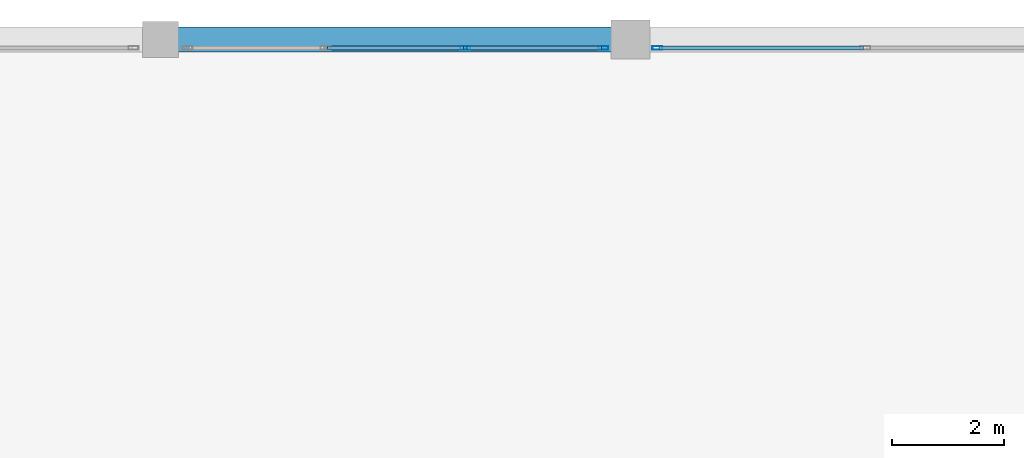
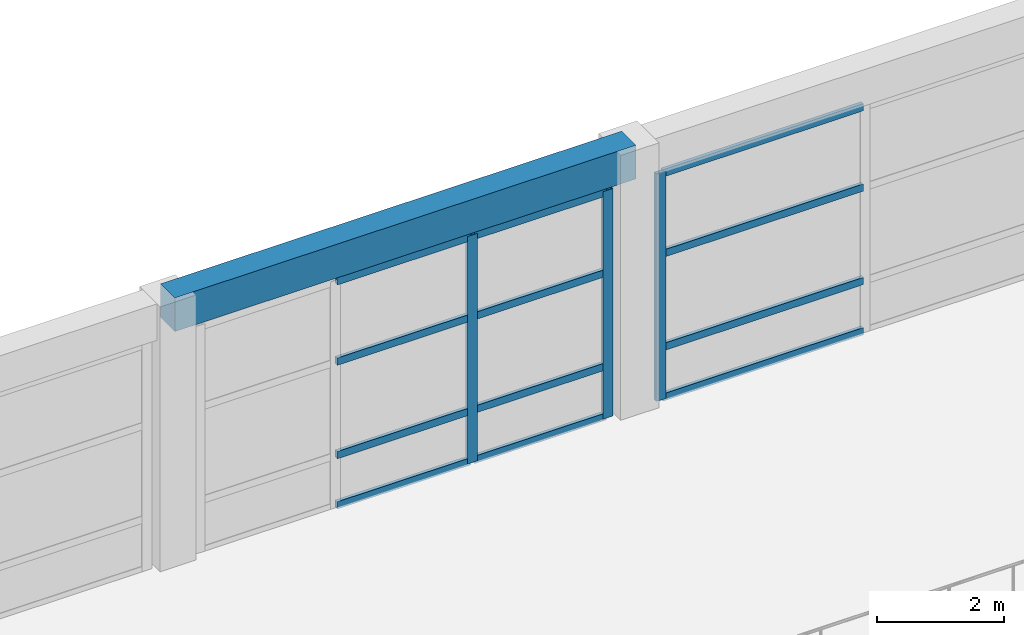
# One storey, part 45 of 95: 15 members, 1 beam, 2 elements without a shape of their own.
"""IFC4 building model written with IfcOpenShell, lengths in metres."""

from ifc_helpers import new_model, si_unit, direction, frame, origin, origin_2d, place, context, subcontext, project, spatial, rectangle, hollow_rectangle, extrude, material, material_profile, profile_set, type_object, element, aggregate, save


model = new_model("IFC4")

# Units and contexts
model_context = context("Model", 3, precision=1e-05, world=origin(), true_north=direction((0.0, 1.0)))
body_context = subcontext(model_context, "Body", "Model", "MODEL_VIEW")
ifc_project = project(units=[si_unit("LENGTHUNIT", "METRE"), si_unit("AREAUNIT", "SQUARE_METRE"), si_unit("VOLUMEUNIT", "CUBIC_METRE"), si_unit("PLANEANGLEUNIT", "RADIAN"), si_unit("MASSUNIT", "GRAM", prefix="KILO")], contexts=[model_context])

# Site, building, storey
site_placement = place(None, origin())
site = spatial("IfcSite", under=ifc_project, at=site_placement, CompositionType="ELEMENT")
building_placement = place(site_placement, origin())
building = spatial("IfcBuilding", under=site, at=building_placement, Name="Almacenes y Pasaje Nevantli", CompositionType="ELEMENT")
storey_placement = place(building_placement, frame((0.0, 0.0, 11.39990234375)))
storey = spatial("IfcBuildingStorey", under=building, at=storey_placement, Name="L03", CompositionType="ELEMENT", Elevation=11.39990234375)

# Beam
ifc_material_1 = material(Name="Concrete C35/45", Category="concrete")
ifc_material_profile_1 = material_profile(ifc_material_1, rectangle(XDim=0.449951171875, YDim=0.64990234375, at=origin_2d()), Name="RC-BM-450x650")
ifc_profile_set_1 = profile_set([ifc_material_profile_1], Name="Concrete C35/45")
beam_type = type_object("IfcBeamType", Name="BM-RC-450x650", PredefinedType="SPANDREL", material=ifc_profile_set_1)
beam_placement = place(storey_placement, frame((75.60009765625, 117.60009765625, 4.775146484375), z_axis=(1.0, 0.0, 0.0), x_axis=(0.0, 1.0, 0.0)))
element("IfcBeam", 1, at=beam_placement, inside=storey, type_object=beam_type, Name="L03 East-West Reinforced Concrete Beam #2469", PredefinedType="SPANDREL", context=body_context, shape_type="SweptSolid", body=[
    extrude(rectangle(XDim=0.449951171875, YDim=0.64990234375, at=origin_2d()), origin(), (0.0, 0.0, 1.0), 8.39990234375),
])

# Curtain wall, members
ifc_material_2 = material(Name="Thermally Broken Aluminium and Low-E Glass", Category="aluminium")
curtain_wall_type = type_object("IfcCurtainWallType", Name="CW-STF-ARCADE", PredefinedType="USERDEFINED", material=ifc_material_2)
curtain_wall_1_placement = place(storey_placement, origin())
curtain_wall_1 = element("IfcCurtainWall", 2, at=curtain_wall_1_placement, inside=storey, type_object=curtain_wall_type, Name="L03 North Arcade Monumental Portal Curtain Wall Bay 10", ObjectType="STOREFRONT GLAZING", PredefinedType="USERDEFINED")
ifc_material_3 = material(Name="Thermally Broken Anodized Aluminium", Category="aluminium")
ifc_material_profile_2 = material_profile(ifc_material_3, hollow_rectangle(XDim=0.06494140625, YDim=0.179931640625, WallThickness=0.00390625, at=origin_2d()), Name="ALU-MUL-65x180")
ifc_profile_set_2 = profile_set([ifc_material_profile_2], Name="Thermally Broken Anodized Aluminium")
member_type_1 = type_object("IfcMemberType", Name="CW-MUL-200", PredefinedType="MULLION", material=ifc_profile_set_2)
member_1_placement = place(storey_placement, frame((81.050048828125, 117.449951171875, 0.0), z_axis=(0.0, 0.0, 1.0), x_axis=(0.0, 1.0, 0.0)))
member_1 = element("IfcMember", 3, at=member_1_placement, type_object=member_type_1, Name="CW-L03-039 mullion 3", PredefinedType="MULLION", context=body_context, shape_type="SweptSolid", body=[
    extrude(hollow_rectangle(XDim=0.06494140625, YDim=0.179931640625, WallThickness=0.00390625, at=origin_2d()), origin(), (0.0, 0.0, 1.0), 4.380126953125),
])
member_2_placement = place(storey_placement, frame((83.517578125, 117.449951171875, 0.0), z_axis=(0.0, 0.0, 1.0), x_axis=(0.0, 1.0, 0.0)))
member_2 = element("IfcMember", 4, at=member_2_placement, type_object=member_type_1, Name="CW-L03-039 mullion 4", PredefinedType="MULLION", context=body_context, shape_type="SweptSolid", body=[
    extrude(hollow_rectangle(XDim=0.06494140625, YDim=0.179931640625, WallThickness=0.00390625, at=origin_2d()), origin(), (0.0, 0.0, 1.0), 4.380126953125),
])

# Curtain wall, member
curtain_wall_2_placement = place(storey_placement, origin())
curtain_wall_2 = element("IfcCurtainWall", 5, at=curtain_wall_2_placement, inside=storey, type_object=curtain_wall_type, Name="L03 North Arcade Monumental Portal Curtain Wall Bay 11", ObjectType="STOREFRONT GLAZING", PredefinedType="USERDEFINED")
member_3_placement = place(storey_placement, frame((84.482421875, 117.449951171875, 0.0), z_axis=(0.0, 0.0, 1.0), x_axis=(0.0, 1.0, 0.0)))
member_3 = element("IfcMember", 6, at=member_3_placement, type_object=member_type_1, Name="CW-L03-040 mullion 1", PredefinedType="MULLION", context=body_context, shape_type="SweptSolid", body=[
    extrude(hollow_rectangle(XDim=0.06494140625, YDim=0.179931640625, WallThickness=0.00390625, at=origin_2d()), origin(), (0.0, 0.0, 1.0), 4.380126953125),
])

# Member
ifc_material_4 = material(Name="Thermally Broken Anodized Aluminium", Category="aluminium")
ifc_material_profile_3 = material_profile(ifc_material_4, hollow_rectangle(XDim=0.06494140625, YDim=0.139892578125, WallThickness=0.00390625, at=origin_2d()), Name="ALU-TRN-65x140")
ifc_profile_set_3 = profile_set([ifc_material_profile_3], Name="Thermally Broken Anodized Aluminium")
member_type_2 = type_object("IfcMemberType", Name="CW-TRN-150", PredefinedType="USERDEFINED", material=ifc_profile_set_3)
member_4_placement = place(storey_placement, frame((78.58251953125, 117.449951171875, 0.03271484375), z_axis=(1.0, 0.0, 0.0), x_axis=(0.0, 1.0, 0.0)))
member_4 = element("IfcMember", 7, at=member_4_placement, type_object=member_type_2, Name="CW-L03-039 transom 2.1", ObjectType="TRANSOM", PredefinedType="USERDEFINED", context=body_context, shape_type="SweptSolid", body=[
    extrude(hollow_rectangle(XDim=0.06494140625, YDim=0.139892578125, WallThickness=0.00390625, at=origin_2d()), origin(), (0.0, 0.0, 1.0), 2.43505859375),
])

member_5_placement = place(storey_placement, frame((78.58251953125, 117.449951171875, 1.0), z_axis=(1.0, 0.0, 0.0), x_axis=(0.0, 1.0, 0.0)))
member_5 = element("IfcMember", 8, at=member_5_placement, type_object=member_type_2, Name="CW-L03-039 transom 2.2", ObjectType="TRANSOM", PredefinedType="USERDEFINED", context=body_context, shape_type="SweptSolid", body=[
    extrude(hollow_rectangle(XDim=0.06494140625, YDim=0.139892578125, WallThickness=0.00390625, at=origin_2d()), origin(), (0.0, 0.0, 1.0), 2.43505859375),
])

member_6_placement = place(storey_placement, frame((78.58251953125, 117.449951171875, 2.800048828125), z_axis=(1.0, 0.0, 0.0), x_axis=(0.0, 1.0, 0.0)))
member_6 = element("IfcMember", 9, at=member_6_placement, type_object=member_type_2, Name="CW-L03-039 transom 2.3", ObjectType="TRANSOM", PredefinedType="USERDEFINED", context=body_context, shape_type="SweptSolid", body=[
    extrude(hollow_rectangle(XDim=0.06494140625, YDim=0.139892578125, WallThickness=0.00390625, at=origin_2d()), origin(), (0.0, 0.0, 1.0), 2.43505859375),
])

member_7_placement = place(storey_placement, frame((78.58251953125, 117.449951171875, 4.34765625), z_axis=(1.0, 0.0, 0.0), x_axis=(0.0, 1.0, 0.0)))
member_7 = element("IfcMember", 10, at=member_7_placement, type_object=member_type_2, Name="CW-L03-039 transom 2.4", ObjectType="TRANSOM", PredefinedType="USERDEFINED", context=body_context, shape_type="SweptSolid", body=[
    extrude(hollow_rectangle(XDim=0.06494140625, YDim=0.139892578125, WallThickness=0.00390625, at=origin_2d()), origin(), (0.0, 0.0, 1.0), 2.43505859375),
])

member_8_placement = place(storey_placement, frame((81.08251953125, 117.449951171875, 0.03271484375), z_axis=(1.0, 0.0, 0.0), x_axis=(0.0, 1.0, 0.0)))
member_8 = element("IfcMember", 11, at=member_8_placement, type_object=member_type_2, Name="CW-L03-039 transom 3.1", ObjectType="TRANSOM", PredefinedType="USERDEFINED", context=body_context, shape_type="SweptSolid", body=[
    extrude(hollow_rectangle(XDim=0.06494140625, YDim=0.139892578125, WallThickness=0.00390625, at=origin_2d()), origin(), (0.0, 0.0, 1.0), 2.402587890625),
])

member_9_placement = place(storey_placement, frame((81.08251953125, 117.449951171875, 1.0), z_axis=(1.0, 0.0, 0.0), x_axis=(0.0, 1.0, 0.0)))
member_9 = element("IfcMember", 12, at=member_9_placement, type_object=member_type_2, Name="CW-L03-039 transom 3.2", ObjectType="TRANSOM", PredefinedType="USERDEFINED", context=body_context, shape_type="SweptSolid", body=[
    extrude(hollow_rectangle(XDim=0.06494140625, YDim=0.139892578125, WallThickness=0.00390625, at=origin_2d()), origin(), (0.0, 0.0, 1.0), 2.402587890625),
])

member_10_placement = place(storey_placement, frame((81.08251953125, 117.449951171875, 2.800048828125), z_axis=(1.0, 0.0, 0.0), x_axis=(0.0, 1.0, 0.0)))
member_10 = element("IfcMember", 13, at=member_10_placement, type_object=member_type_2, Name="CW-L03-039 transom 3.3", ObjectType="TRANSOM", PredefinedType="USERDEFINED", context=body_context, shape_type="SweptSolid", body=[
    extrude(hollow_rectangle(XDim=0.06494140625, YDim=0.139892578125, WallThickness=0.00390625, at=origin_2d()), origin(), (0.0, 0.0, 1.0), 2.402587890625),
])

member_11_placement = place(storey_placement, frame((81.08251953125, 117.449951171875, 4.34765625), z_axis=(1.0, 0.0, 0.0), x_axis=(0.0, 1.0, 0.0)))
member_11 = element("IfcMember", 14, at=member_11_placement, type_object=member_type_2, Name="CW-L03-039 transom 3.4", ObjectType="TRANSOM", PredefinedType="USERDEFINED", context=body_context, shape_type="SweptSolid", body=[
    extrude(hollow_rectangle(XDim=0.06494140625, YDim=0.139892578125, WallThickness=0.00390625, at=origin_2d()), origin(), (0.0, 0.0, 1.0), 2.402587890625),
])

aggregate(curtain_wall_1, [member_1, member_2, member_4, member_5, member_6, member_7, member_8, member_9, member_10, member_11])

member_12_placement = place(storey_placement, frame((84.514892578125, 117.449951171875, 0.03271484375), z_axis=(1.0, 0.0, 0.0), x_axis=(0.0, 1.0, 0.0)))
member_12 = element("IfcMember", 15, at=member_12_placement, type_object=member_type_2, Name="CW-L03-040 transom 1.1", ObjectType="TRANSOM", PredefinedType="USERDEFINED", context=body_context, shape_type="SweptSolid", body=[
    extrude(hollow_rectangle(XDim=0.06494140625, YDim=0.139892578125, WallThickness=0.00390625, at=origin_2d()), origin(), (0.0, 0.0, 1.0), 3.652587890625),
])

member_13_placement = place(storey_placement, frame((84.514892578125, 117.449951171875, 1.0), z_axis=(1.0, 0.0, 0.0), x_axis=(0.0, 1.0, 0.0)))
member_13 = element("IfcMember", 16, at=member_13_placement, type_object=member_type_2, Name="CW-L03-040 transom 1.2", ObjectType="TRANSOM", PredefinedType="USERDEFINED", context=body_context, shape_type="SweptSolid", body=[
    extrude(hollow_rectangle(XDim=0.06494140625, YDim=0.139892578125, WallThickness=0.00390625, at=origin_2d()), origin(), (0.0, 0.0, 1.0), 3.652587890625),
])

member_14_placement = place(storey_placement, frame((84.514892578125, 117.449951171875, 2.800048828125), z_axis=(1.0, 0.0, 0.0), x_axis=(0.0, 1.0, 0.0)))
member_14 = element("IfcMember", 17, at=member_14_placement, type_object=member_type_2, Name="CW-L03-040 transom 1.3", ObjectType="TRANSOM", PredefinedType="USERDEFINED", context=body_context, shape_type="SweptSolid", body=[
    extrude(hollow_rectangle(XDim=0.06494140625, YDim=0.139892578125, WallThickness=0.00390625, at=origin_2d()), origin(), (0.0, 0.0, 1.0), 3.652587890625),
])

member_15_placement = place(storey_placement, frame((84.514892578125, 117.449951171875, 4.34765625), z_axis=(1.0, 0.0, 0.0), x_axis=(0.0, 1.0, 0.0)))
member_15 = element("IfcMember", 18, at=member_15_placement, type_object=member_type_2, Name="CW-L03-040 transom 1.4", ObjectType="TRANSOM", PredefinedType="USERDEFINED", context=body_context, shape_type="SweptSolid", body=[
    extrude(hollow_rectangle(XDim=0.06494140625, YDim=0.139892578125, WallThickness=0.00390625, at=origin_2d()), origin(), (0.0, 0.0, 1.0), 3.652587890625),
])

aggregate(curtain_wall_2, [member_3, member_12, member_13, member_14, member_15])

save(model, "model.ifc")
